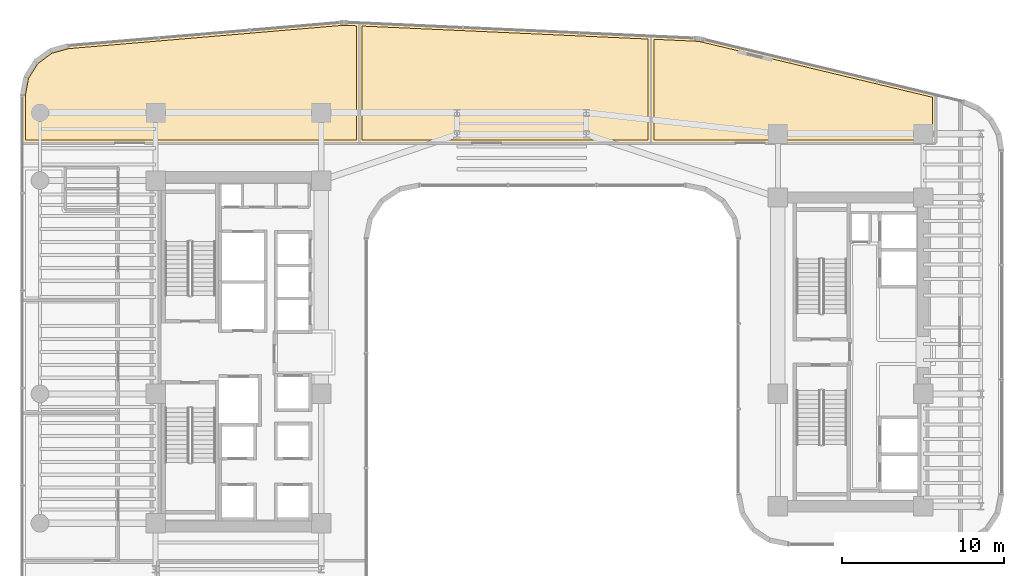
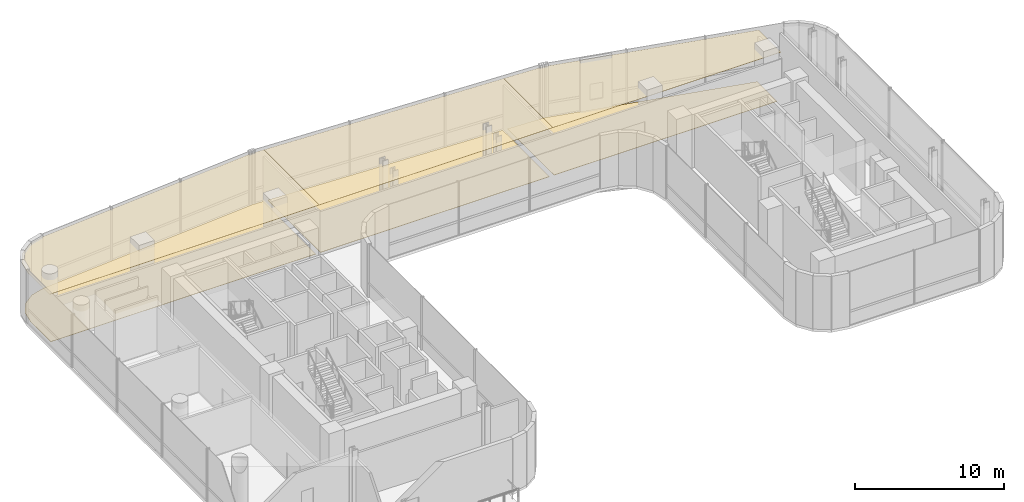
# One storey, part 32 of 32: 6 coverings.
"""IFC4 building model written with IfcOpenShell, lengths in metres."""

from ifc_helpers import new_model, si_unit, direction, frame, origin, place, context, subcontext, project, spatial, polyline, outline, extrude, material, layer, layer_set, type_object, element, save


model = new_model("IFC4")

# Units and contexts
model_context = context("Model", 3, precision=1e-05, world=origin(), true_north=direction((0.0, 1.0)))
body_context = subcontext(model_context, "Body", "Model", "MODEL_VIEW")
ifc_project = project(units=[si_unit("LENGTHUNIT", "METRE"), si_unit("AREAUNIT", "SQUARE_METRE"), si_unit("VOLUMEUNIT", "CUBIC_METRE"), si_unit("PLANEANGLEUNIT", "RADIAN"), si_unit("MASSUNIT", "GRAM", prefix="KILO")], contexts=[model_context])

# Site, building, storey
site_placement = place(None, origin())
site = spatial("IfcSite", under=ifc_project, at=site_placement, CompositionType="ELEMENT")
building_placement = place(site_placement, origin())
building = spatial("IfcBuilding", under=site, at=building_placement, Name="Valdorenza Pilgrim Sanctuary Tower", CompositionType="ELEMENT")
storey_placement = place(building_placement, frame((0.0, 0.0, 101.10009765625)))
storey = spatial("IfcBuildingStorey", under=building, at=storey_placement, Name="L25", CompositionType="ELEMENT", Elevation=101.10009765625)

# Coverings
ifc_material_1 = material(Name="Micro-perforated acoustic mineral ceiling tile", Category="gypsum")
ifc_layer_1 = layer(ifc_material_1, 0.02490234375, Name="Micro-perforated acoustic mineral ceiling tile")
ifc_layer_set_1 = layer_set([ifc_layer_1], Name="Micro-perforated acoustic mineral ceiling tile")
covering_type_1 = type_object("IfcCoveringType", Name="COV-CLG-ACU", PredefinedType="CEILING", material=ifc_layer_set_1)
covering_1_placement = place(storey_placement, frame((0.0, 0.0, 4.059814453125)))
element("IfcCovering", 1, at=covering_1_placement, inside=storey, type_object=covering_type_1, Name="L25 Reading Library Salon Acoustic Ceiling", PredefinedType="CEILING", context=body_context, shape_type="SweptSolid", body=[
    extrude(outline(polyline([(-30.889892578125, 12.905029296875), (-30.8916015625, 12.905029296875), (-30.892822265625, 12.9052734375), (-30.894287109375, 12.905517578125), (-30.895751953125, 12.906005859375), (-30.897216796875, 12.90673828125), (-30.898193359375, 12.907470703125), (-30.8994140625, 12.908447265625), (-30.900634765625, 12.909423828125), (-30.901611328125, 12.910400390625), (-30.902587890625, 12.91162109375), (-30.9033203125, 12.912841796875), (-30.90380859375, 12.914306640625), (-30.904296875, 12.91552734375), (-30.90478515625, 12.9169921875), (-30.90478515625, 12.91845703125), (-30.905029296875, 12.919921875), (-30.905029296875, 15.850341796875), (-30.90478515625, 15.8515625), (-30.90478515625, 15.85302734375), (-30.692138671875, 16.984130859375), (-30.69189453125, 16.985595703125), (-30.69140625, 16.98681640625), (-30.69091796875, 16.98828125), (-30.690185546875, 16.989501953125), (-30.0869140625, 17.95751953125), (-30.086181640625, 17.958740234375), (-30.085205078125, 17.959716796875), (-30.084228515625, 17.960693359375), (-30.083251953125, 17.961669921875), (-29.169677734375, 18.64453125), (-29.16845703125, 18.6455078125), (-29.167236328125, 18.64599609375), (-29.166015625, 18.646484375), (-29.164794921875, 18.647216796875), (-28.055419921875, 18.95458984375), (-28.05419921875, 18.955078125), (-28.052734375, 18.955078125), (-11.20068359375, 20.3876953125), (-11.200439453125, 20.3876953125), (-11.099365234375, 20.39453125), (-11.098876953125, 20.39453125), (-10.998291015625, 20.398193359375), (-10.997802734375, 20.398193359375), (-10.897216796875, 20.398681640625), (-10.896728515625, 20.398681640625), (-10.79541015625, 20.3955078125), (-10.795166015625, 20.3955078125), (-10.04931640625, 20.36181640625), (-10.0478515625, 20.361572265625), (-10.04638671875, 20.361328125), (-10.045166015625, 20.36083984375), (-10.043701171875, 20.3603515625), (-10.04248046875, 20.359619140625), (-10.041259765625, 20.35888671875), (-10.040283203125, 20.35791015625), (-10.039306640625, 20.35693359375), (-10.0380859375, 20.35595703125), (-10.037353515625, 20.354736328125), (-10.03662109375, 20.353515625), (-10.0361328125, 20.352294921875), (-10.03564453125, 20.350830078125), (-10.035400390625, 20.349609375), (-10.03515625, 20.34814453125), (-10.034912109375, 20.3466796875), (-10.034912109375, 12.919921875), (-10.03515625, 12.91845703125), (-10.035400390625, 12.9169921875), (-10.03564453125, 12.91552734375), (-10.0361328125, 12.914306640625), (-10.036865234375, 12.912841796875), (-10.03759765625, 12.91162109375), (-10.038330078125, 12.910400390625), (-10.039306640625, 12.909423828125), (-10.04052734375, 12.908447265625), (-10.041748046875, 12.907470703125), (-10.04296875, 12.90673828125), (-10.044189453125, 12.906005859375), (-10.045654296875, 12.905517578125), (-10.047119140625, 12.9052734375), (-10.048583984375, 12.905029296875), (-10.050048828125, 12.905029296875), (-30.889892578125, 12.905029296875)])), origin(), (0.0, 0.0, 1.0), 0.025146484375),
])
covering_2_placement = place(storey_placement, frame((0.0, 0.0, 4.059814453125)))
element("IfcCovering", 2, at=covering_2_placement, inside=storey, type_object=covering_type_1, Name="L25 Pilgrim Heritage Lecture Hall Acoustic Ceiling", PredefinedType="CEILING", context=body_context, shape_type="SweptSolid", body=[
    extrude(outline(polyline([(-10.048095703125, 12.905029296875), (-10.049560546875, 12.905029296875), (-10.05078125, 12.9052734375), (-10.052490234375, 12.905517578125), (-10.0537109375, 12.906005859375), (-10.05517578125, 12.90673828125), (-10.056396484375, 12.907470703125), (-10.0576171875, 12.908447265625), (-10.05859375, 12.909423828125), (-10.0595703125, 12.910400390625), (-10.060546875, 12.91162109375), (-10.061279296875, 12.912841796875), (-10.06201171875, 12.914306640625), (-10.0625, 12.91552734375), (-10.062744140625, 12.9169921875), (-10.06298828125, 12.91845703125), (-10.06298828125, 12.919921875), (-10.06298828125, 20.3466796875), (-10.06298828125, 20.34814453125), (-10.062744140625, 20.349609375), (-10.062255859375, 20.35107421875), (-10.061767578125, 20.3525390625), (-10.06103515625, 20.353759765625), (-10.060302734375, 20.35498046875), (-10.059326171875, 20.356201171875), (-10.058349609375, 20.357421875), (-10.05712890625, 20.3583984375), (-10.055908203125, 20.359375), (-10.0546875, 20.360107421875), (-10.05322265625, 20.360595703125), (-10.0517578125, 20.361083984375), (-10.05029296875, 20.361328125), (-10.048828125, 20.361572265625), (-10.04736328125, 20.361572265625), (8.000732421875, 19.541259765625), (8.002197265625, 19.541015625), (8.00341796875, 19.540771484375), (8.0048828125, 19.540283203125), (8.006103515625, 19.539794921875), (8.007568359375, 19.539306640625), (8.0087890625, 19.53857421875), (8.009765625, 19.53759765625), (8.0107421875, 19.53662109375), (8.01171875, 19.535400390625), (8.0126953125, 19.534423828125), (8.01318359375, 19.533203125), (8.013916015625, 19.53173828125), (8.014404296875, 19.530517578125), (8.0146484375, 19.529052734375), (8.014892578125, 19.527587890625), (8.014892578125, 19.526123046875), (8.014892578125, 12.919921875), (8.014892578125, 12.91845703125), (8.0146484375, 12.9169921875), (8.014404296875, 12.91552734375), (8.013916015625, 12.914306640625), (8.01318359375, 12.912841796875), (8.012451171875, 12.91162109375), (8.01171875, 12.910400390625), (8.010498046875, 12.909423828125), (8.009521484375, 12.908447265625), (8.00830078125, 12.907470703125), (8.007080078125, 12.90673828125), (8.005615234375, 12.906005859375), (8.00439453125, 12.905517578125), (8.0029296875, 12.9052734375), (8.00146484375, 12.905029296875), (8.0, 12.905029296875), (-10.048095703125, 12.905029296875)])), origin(), (0.0, 0.0, 1.0), 0.025146484375),
])
covering_3_placement = place(storey_placement, frame((0.0, 0.0, 4.059814453125)))
element("IfcCovering", 3, at=covering_3_placement, inside=storey, type_object=covering_type_1, Name="L25 Pilgrim Symposium Salon Acoustic Ceiling", PredefinedType="CEILING", context=body_context, shape_type="SweptSolid", body=[
    extrude(outline(polyline([(8.001953125, 12.905029296875), (8.00048828125, 12.905029296875), (7.9990234375, 12.9052734375), (7.99755859375, 12.905517578125), (7.996337890625, 12.906005859375), (7.994873046875, 12.90673828125), (7.99365234375, 12.907470703125), (7.992431640625, 12.908447265625), (7.991455078125, 12.909423828125), (7.990478515625, 12.910400390625), (7.989501953125, 12.91162109375), (7.98876953125, 12.912841796875), (7.988037109375, 12.914306640625), (7.987548828125, 12.91552734375), (7.9873046875, 12.9169921875), (7.987060546875, 12.91845703125), (7.987060546875, 12.919921875), (7.987060546875, 19.526123046875), (7.987060546875, 19.527587890625), (7.9873046875, 19.529296875), (7.98779296875, 19.530517578125), (7.98828125, 19.531982421875), (7.989013671875, 19.533447265625), (7.98974609375, 19.53466796875), (7.990478515625, 19.535888671875), (7.99169921875, 19.537109375), (7.992919921875, 19.5380859375), (7.993896484375, 19.538818359375), (7.995361328125, 19.53955078125), (7.99658203125, 19.540283203125), (7.998291015625, 19.540771484375), (7.999755859375, 19.541015625), (8.001220703125, 19.541015625), (8.002685546875, 19.541015625), (10.690673828125, 19.4189453125), (10.69091796875, 19.4189453125), (10.838134765625, 19.40869140625), (10.8388671875, 19.40869140625), (10.984375, 19.3916015625), (10.985107421875, 19.3916015625), (11.12939453125, 19.36767578125), (11.130126953125, 19.36767578125), (11.274658203125, 19.336669921875), (11.27490234375, 19.33642578125), (25.603515625, 15.90673828125), (25.60498046875, 15.906494140625), (25.606201171875, 15.906005859375), (25.607421875, 15.9052734375), (25.608642578125, 15.904541015625), (25.60986328125, 15.903564453125), (25.61083984375, 15.902587890625), (25.61181640625, 15.901611328125), (25.612548828125, 15.900390625), (25.61328125, 15.899169921875), (25.614013671875, 15.897705078125), (25.614501953125, 15.896484375), (25.61474609375, 15.89501953125), (25.614990234375, 15.893798828125), (25.614990234375, 15.892333984375), (25.614990234375, 12.919921875), (25.614990234375, 12.91845703125), (25.61474609375, 12.9169921875), (25.614501953125, 12.91552734375), (25.614013671875, 12.914306640625), (25.61328125, 12.912841796875), (25.612548828125, 12.91162109375), (25.611572265625, 12.910400390625), (25.610595703125, 12.909423828125), (25.609619140625, 12.908447265625), (25.6083984375, 12.907470703125), (25.607177734375, 12.90673828125), (25.605712890625, 12.906005859375), (25.6044921875, 12.905517578125), (25.602783203125, 12.9052734375), (25.6015625, 12.905029296875), (25.60009765625, 12.905029296875), (8.001953125, 12.905029296875)])), origin(), (0.0, 0.0, 1.0), 0.025146484375),
])
ifc_material_2 = material(Name="Honed travertine stone flooring", Category="masonry")
ifc_layer_2 = layer(ifc_material_2, 0.030029296875, Name="Honed travertine stone flooring")
ifc_layer_set_2 = layer_set([ifc_layer_2], Name="Honed travertine stone flooring")
covering_type_2 = type_object("IfcCoveringType", Name="COV-FLR-TRV", PredefinedType="FLOORING", material=ifc_layer_set_2)
covering_4_placement = place(storey_placement, origin())
element("IfcCovering", 4, at=covering_4_placement, inside=storey, type_object=covering_type_2, Name="L25 Reading Library Salon Flooring", PredefinedType="FLOORING", context=body_context, shape_type="SweptSolid", body=[
    extrude(outline(polyline([(-30.7099609375, 13.10009765625), (-30.7099609375, 15.83349609375), (-30.5068359375, 16.9150390625), (-29.939208984375, 17.82568359375), (-29.080078125, 18.46826171875), (-28.01953125, 18.76220703125), (-11.185546875, 20.193115234375), (-11.0888671875, 20.199951171875), (-10.994140625, 20.203125), (-10.8994140625, 20.20361328125), (-10.802490234375, 20.20068359375), (-10.22998046875, 20.1748046875), (-10.22998046875, 13.10009765625), (-30.7099609375, 13.10009765625)])), origin(), (0.0, 0.0, 1.0), 0.02490234375),
])
covering_5_placement = place(storey_placement, origin())
element("IfcCovering", 5, at=covering_5_placement, inside=storey, type_object=covering_type_2, Name="L25 Pilgrim Heritage Lecture Hall Flooring", PredefinedType="FLOORING", context=body_context, shape_type="SweptSolid", body=[
    extrude(outline(polyline([(-9.867919921875, 13.10009765625), (-9.867919921875, 20.158203125), (7.820068359375, 19.354248046875), (7.820068359375, 13.10009765625), (-9.867919921875, 13.10009765625)])), origin(), (0.0, 0.0, 1.0), 0.02490234375),
])
covering_6_placement = place(storey_placement, origin())
element("IfcCovering", 6, at=covering_6_placement, inside=storey, type_object=covering_type_2, Name="L25 Pilgrim Symposium Salon Flooring", PredefinedType="FLOORING", context=body_context, shape_type="SweptSolid", body=[
    extrude(outline(polyline([(8.181884765625, 13.10009765625), (8.181884765625, 19.337890625), (10.6796875, 19.224365234375), (10.820556640625, 19.214599609375), (10.95751953125, 19.198486328125), (11.093505859375, 19.176025390625), (11.231689453125, 19.146484375), (25.419921875, 15.750244140625), (25.419921875, 13.10009765625), (8.181884765625, 13.10009765625)])), origin(), (0.0, 0.0, 1.0), 0.02490234375),
])

save(model, "model.ifc")
